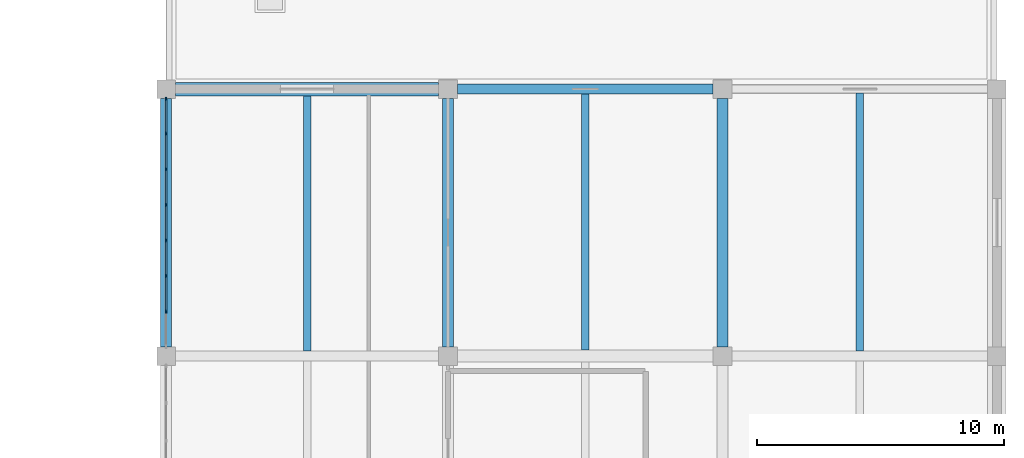
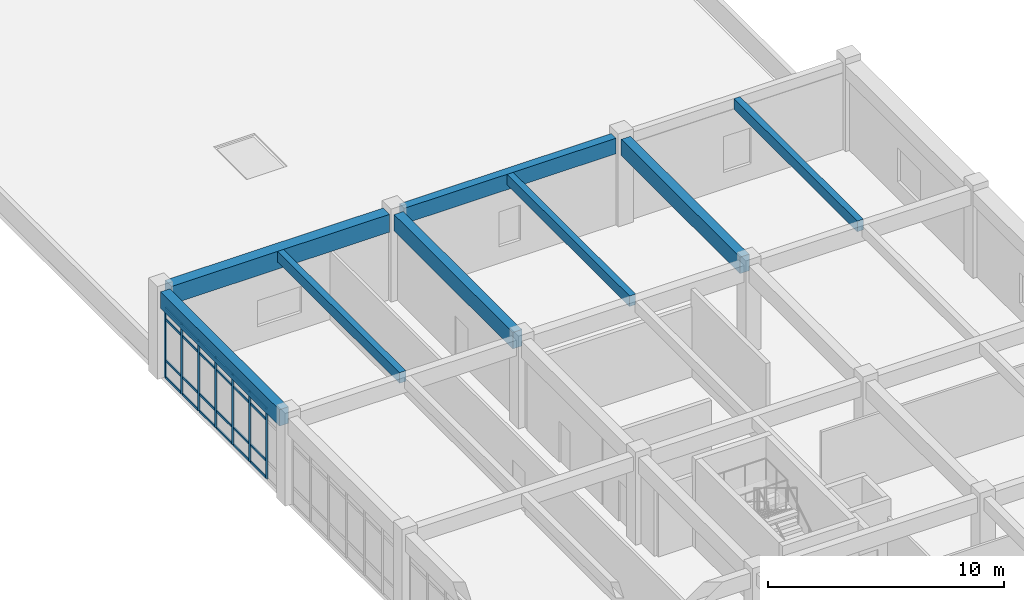
# One storey, part 32 of 68: 31 members, 8 beams, 1 element without a shape of its own.
"""IFC4 building model written with IfcOpenShell, lengths in metres."""

from ifc_helpers import new_model, si_unit, direction, frame, origin, origin_2d, place, context, subcontext, project, spatial, rectangle, extrude, material, layer, layer_set, material_profile, profile_set, type_object, element, aggregate, save


model = new_model("IFC4")

# Units and contexts
model_context = context("Model", 3, precision=1e-05, world=origin(), true_north=direction((0.0, 1.0)))
body_context = subcontext(model_context, "Body", "Model", "MODEL_VIEW")
ifc_project = project(units=[si_unit("LENGTHUNIT", "METRE"), si_unit("AREAUNIT", "SQUARE_METRE"), si_unit("VOLUMEUNIT", "CUBIC_METRE"), si_unit("PLANEANGLEUNIT", "RADIAN"), si_unit("MASSUNIT", "GRAM", prefix="KILO")], contexts=[model_context])

# Site, building, storey
site_placement = place(None, origin())
site = spatial("IfcSite", under=ifc_project, at=site_placement, CompositionType="ELEMENT")
building_placement = place(site_placement, origin())
building = spatial("IfcBuilding", under=site, at=building_placement, Name="Miralva Faculty of Natural Sciences", CompositionType="ELEMENT")
storey_placement = place(building_placement, frame((0.0, 0.0, 5.39990234375)))
storey = spatial("IfcBuildingStorey", under=building, at=storey_placement, Name="L01", CompositionType="ELEMENT", Elevation=5.39990234375)

# Beams
ifc_material_1 = material(Name="Concrete C40/50", Category="concrete")
ifc_material_profile_1 = material_profile(ifc_material_1, rectangle(XDim=0.449951171875, YDim=0.85009765625, at=origin_2d()), Name="RC 450x850")
ifc_profile_set_1 = profile_set([ifc_material_profile_1], Name="Concrete C40/50")
beam_type_1 = type_object("IfcBeamType", Name="BM-B01", PredefinedType="BEAM", material=ifc_profile_set_1)
for number, where, z_axis, x_axis, name in (
    (1, (133.800048828125, 65.77490234375, 4.05517578125), (0.0, 1.0, 0.0), (-1.0, 0.0, 0.0), "Girder NS L01-166"),
    (2, (145.199951171875, 65.77490234375, 4.05517578125), (0.0, 1.0, 0.0), (-1.0, 0.0, 0.0), "Girder NS L01-173"),
    (3, (156.300048828125, 65.77490234375, 4.05517578125), (0.0, 1.0, 0.0), (-1.0, 0.0, 0.0), "Girder NS L01-180"),
):
    element("IfcBeam", number, at=place(storey_placement, frame(where, z_axis=z_axis, x_axis=x_axis)), inside=storey, type_object=beam_type_1, Name=name, PredefinedType="BEAM", context=body_context, shape_type="SweptSolid", body=[
        extrude(rectangle(XDim=0.449951171875, YDim=0.85009765625, at=origin_2d()), origin(), (0.0, 0.0, 1.0), 10.050048828125),
    ])
ifc_material_profile_2 = material_profile(ifc_material_1, rectangle(XDim=0.39990234375, YDim=0.800048828125, at=origin_2d()), Name="RC 400x800")
ifc_profile_set_2 = profile_set([ifc_material_profile_2], Name="Concrete C40/50")
beam_type_2 = type_object("IfcBeamType", Name="BM-B02", PredefinedType="BEAM", material=ifc_profile_set_2)
beam_1_placement = place(storey_placement, frame((145.574951171875, 76.199951171875, 4.080078125), z_axis=(1.0, 0.0, 0.0), x_axis=(0.0, 1.0, 0.0)))
element("IfcBeam", 4, at=beam_1_placement, inside=storey, type_object=beam_type_2, Name="Girder EW L01-64", PredefinedType="BEAM", context=body_context, shape_type="SweptSolid", body=[
    extrude(rectangle(XDim=0.39990234375, YDim=0.800048828125, at=origin_2d()), origin(), (0.0, 0.0, 1.0), 10.35009765625),
])
ifc_material_profile_3 = material_profile(ifc_material_1, rectangle(XDim=0.5400390625, YDim=0.919921875, at=origin_2d()), Name="RC 540x920")
ifc_profile_set_3 = profile_set([ifc_material_profile_3], Name="Concrete C40/50")
beam_type_3 = type_object("IfcBeamType", Name="BM-BG21", PredefinedType="BEAM", material=ifc_profile_set_3)
beam_2_placement = place(storey_placement, frame((134.175048828125, 76.199951171875, 4.02001953125), z_axis=(1.0, 0.0, 0.0), x_axis=(0.0, 1.0, 0.0)))
element("IfcBeam", 5, at=beam_2_placement, inside=storey, type_object=beam_type_3, Name="Girder EW L01-63", PredefinedType="BEAM", context=body_context, shape_type="SweptSolid", body=[
    extrude(rectangle(XDim=0.5400390625, YDim=0.919921875, at=origin_2d()), origin(), (0.0, 0.0, 1.0), 10.64990234375),
])
ifc_material_profile_4 = material_profile(ifc_material_1, rectangle(XDim=0.300048828125, YDim=0.550048828125, at=origin_2d()), Name="RC 300x550")
ifc_profile_set_4 = profile_set([ifc_material_profile_4], Name="Concrete C40/50")
beam_type_4 = type_object("IfcBeamType", Name="BM-J02", PredefinedType="JOIST", material=ifc_profile_set_4)
beam_3_placement = place(storey_placement, frame((139.5, 65.60009765625, 4.205078125), z_axis=(0.0, 1.0, 0.0), x_axis=(-1.0, 0.0, 0.0)))
element("IfcBeam", 6, at=beam_3_placement, inside=storey, type_object=beam_type_4, Name="Floor joist L01-23", PredefinedType="JOIST", context=body_context, shape_type="SweptSolid", body=[
    extrude(rectangle(XDim=0.300048828125, YDim=0.550048828125, at=origin_2d()), origin(), (0.0, 0.0, 1.0), 10.329833984375),
])
beam_4_placement = place(storey_placement, frame((150.75, 65.639892578125, 4.205078125), z_axis=(0.0, 1.0, 0.0), x_axis=(-1.0, 0.0, 0.0)))
element("IfcBeam", 7, at=beam_4_placement, inside=storey, type_object=beam_type_4, Name="Floor joist L01-24", PredefinedType="JOIST", context=body_context, shape_type="SweptSolid", body=[
    extrude(rectangle(XDim=0.300048828125, YDim=0.550048828125, at=origin_2d()), origin(), (0.0, 0.0, 1.0), 10.360107421875),
])
beam_5_placement = place(storey_placement, frame((161.85009765625, 65.60009765625, 4.205078125), z_axis=(0.0, 1.0, 0.0), x_axis=(-1.0, 0.0, 0.0)))
element("IfcBeam", 8, at=beam_5_placement, inside=storey, type_object=beam_type_4, Name="Floor joist L01-25", PredefinedType="JOIST", context=body_context, shape_type="SweptSolid", body=[
    extrude(rectangle(XDim=0.300048828125, YDim=0.550048828125, at=origin_2d()), origin(), (0.0, 0.0, 1.0), 10.43994140625),
])

# Curtain wall, members
ifc_material_2 = material(Name="Laminated solar-control glass", Category="glass")
ifc_layer = layer(ifc_material_2, 0.179931640625, Name="CW-COM-L01")
ifc_layer_set = layer_set([ifc_layer], Name="Laminated solar-control glass")
curtain_wall_type = type_object("IfcCurtainWallType", Name="CW-COM-L01", PredefinedType="USERDEFINED", material=ifc_layer_set)
curtain_wall_placement = place(storey_placement, origin())
curtain_wall = element("IfcCurtainWall", 9, at=curtain_wall_placement, inside=storey, type_object=curtain_wall_type, Name="Curtain wall CW-10 L01-267", ObjectType="UNITISED CURTAIN WALL", PredefinedType="USERDEFINED")
ifc_material_3 = material(Name="Anodised aluminium", Category="aluminium")
ifc_material_profile_5 = material_profile(ifc_material_3, rectangle(XDim=0.06005859375, YDim=0.139892578125, at=origin_2d()), Name="MULLION 60x140")
ifc_profile_set_5 = profile_set([ifc_material_profile_5], Name="Anodised aluminium")
member_type_1 = type_object("IfcMemberType", Name="CW-M03", PredefinedType="MULLION", material=ifc_profile_set_5)
member_1_placement = place(storey_placement, frame((133.800048828125, 67.20361328125, 0.0), z_axis=(0.0, 0.0, 1.0), x_axis=(-1.0, 0.0, 0.0)))
member_1 = element("IfcMember", 10, at=member_1_placement, type_object=member_type_1, Name="CW-10 mullion 2", PredefinedType="MULLION", context=body_context, shape_type="SweptSolid", body=[
    extrude(rectangle(XDim=0.06005859375, YDim=0.139892578125, at=origin_2d()), origin(), (0.0, 0.0, 1.0), 3.625),
])
member_2_placement = place(storey_placement, frame((133.800048828125, 68.64208984375, 0.0), z_axis=(0.0, 0.0, 1.0), x_axis=(-1.0, 0.0, 0.0)))
member_2 = element("IfcMember", 11, at=member_2_placement, type_object=member_type_1, Name="CW-10 mullion 3", PredefinedType="MULLION", context=body_context, shape_type="SweptSolid", body=[
    extrude(rectangle(XDim=0.06005859375, YDim=0.139892578125, at=origin_2d()), origin(), (0.0, 0.0, 1.0), 3.625),
])
member_3_placement = place(storey_placement, frame((133.800048828125, 70.080810546875, 0.0), z_axis=(0.0, 0.0, 1.0), x_axis=(-1.0, 0.0, 0.0)))
member_3 = element("IfcMember", 12, at=member_3_placement, type_object=member_type_1, Name="CW-10 mullion 4", PredefinedType="MULLION", context=body_context, shape_type="SweptSolid", body=[
    extrude(rectangle(XDim=0.06005859375, YDim=0.139892578125, at=origin_2d()), origin(), (0.0, 0.0, 1.0), 3.625),
])
member_4_placement = place(storey_placement, frame((133.800048828125, 71.519287109375, 0.0), z_axis=(0.0, 0.0, 1.0), x_axis=(-1.0, 0.0, 0.0)))
member_4 = element("IfcMember", 13, at=member_4_placement, type_object=member_type_1, Name="CW-10 mullion 5", PredefinedType="MULLION", context=body_context, shape_type="SweptSolid", body=[
    extrude(rectangle(XDim=0.06005859375, YDim=0.139892578125, at=origin_2d()), origin(), (0.0, 0.0, 1.0), 3.625),
])
member_5_placement = place(storey_placement, frame((133.800048828125, 72.957763671875, 0.0), z_axis=(0.0, 0.0, 1.0), x_axis=(-1.0, 0.0, 0.0)))
member_5 = element("IfcMember", 14, at=member_5_placement, type_object=member_type_1, Name="CW-10 mullion 6", PredefinedType="MULLION", context=body_context, shape_type="SweptSolid", body=[
    extrude(rectangle(XDim=0.06005859375, YDim=0.139892578125, at=origin_2d()), origin(), (0.0, 0.0, 1.0), 3.625),
])
member_6_placement = place(storey_placement, frame((133.800048828125, 74.396484375, 0.0), z_axis=(0.0, 0.0, 1.0), x_axis=(-1.0, 0.0, 0.0)))
member_6 = element("IfcMember", 15, at=member_6_placement, type_object=member_type_1, Name="CW-10 mullion 7", PredefinedType="MULLION", context=body_context, shape_type="SweptSolid", body=[
    extrude(rectangle(XDim=0.06005859375, YDim=0.139892578125, at=origin_2d()), origin(), (0.0, 0.0, 1.0), 3.625),
])
member_7_placement = place(storey_placement, frame((133.800048828125, 75.804931640625, 0.0), z_axis=(0.0, 0.0, 1.0), x_axis=(-1.0, 0.0, 0.0)))
member_7 = element("IfcMember", 16, at=member_7_placement, type_object=member_type_1, Name="CW-10 mullion 8", PredefinedType="MULLION", context=body_context, shape_type="SweptSolid", body=[
    extrude(rectangle(XDim=0.06005859375, YDim=0.139892578125, at=origin_2d()), origin(), (0.0, 0.0, 1.0), 3.625),
])
ifc_material_profile_6 = material_profile(ifc_material_3, rectangle(XDim=0.06005859375, YDim=0.1201171875, at=origin_2d()), Name="TRANSOM 60x120")
ifc_profile_set_6 = profile_set([ifc_material_profile_6], Name="Anodised aluminium")
member_type_2 = type_object("IfcMemberType", Name="CW-T02", PredefinedType="USERDEFINED", material=ifc_profile_set_6)
member_8_placement = place(storey_placement, frame((133.800048828125, 67.233642578125, 0.030029296875), z_axis=(0.0, 1.0, 0.0), x_axis=(-1.0, 0.0, 0.0)))
member_8 = element("IfcMember", 17, at=member_8_placement, type_object=member_type_2, Name="CW-10 transom 2.1", ObjectType="TRANSOM", PredefinedType="USERDEFINED", context=body_context, shape_type="SweptSolid", body=[
    extrude(rectangle(XDim=0.06005859375, YDim=0.1201171875, at=origin_2d()), origin(), (0.0, 0.0, 1.0), 1.37841796875),
])
member_9_placement = place(storey_placement, frame((133.800048828125, 67.233642578125, 0.900146484375), z_axis=(0.0, 1.0, 0.0), x_axis=(-1.0, 0.0, 0.0)))
member_9 = element("IfcMember", 18, at=member_9_placement, type_object=member_type_2, Name="CW-10 transom 2.2", ObjectType="TRANSOM", PredefinedType="USERDEFINED", context=body_context, shape_type="SweptSolid", body=[
    extrude(rectangle(XDim=0.06005859375, YDim=0.1201171875, at=origin_2d()), origin(), (0.0, 0.0, 1.0), 1.37841796875),
])
member_10_placement = place(storey_placement, frame((133.800048828125, 67.233642578125, 3.025146484375), z_axis=(0.0, 1.0, 0.0), x_axis=(-1.0, 0.0, 0.0)))
member_10 = element("IfcMember", 19, at=member_10_placement, type_object=member_type_2, Name="CW-10 transom 2.3", ObjectType="TRANSOM", PredefinedType="USERDEFINED", context=body_context, shape_type="SweptSolid", body=[
    extrude(rectangle(XDim=0.06005859375, YDim=0.1201171875, at=origin_2d()), origin(), (0.0, 0.0, 1.0), 1.37841796875),
])
member_11_placement = place(storey_placement, frame((133.800048828125, 67.233642578125, 3.59521484375), z_axis=(0.0, 1.0, 0.0), x_axis=(-1.0, 0.0, 0.0)))
member_11 = element("IfcMember", 20, at=member_11_placement, type_object=member_type_2, Name="CW-10 transom 2.4", ObjectType="TRANSOM", PredefinedType="USERDEFINED", context=body_context, shape_type="SweptSolid", body=[
    extrude(rectangle(XDim=0.06005859375, YDim=0.1201171875, at=origin_2d()), origin(), (0.0, 0.0, 1.0), 1.37841796875),
])
member_12_placement = place(storey_placement, frame((133.800048828125, 68.672119140625, 0.030029296875), z_axis=(0.0, 1.0, 0.0), x_axis=(-1.0, 0.0, 0.0)))
member_12 = element("IfcMember", 21, at=member_12_placement, type_object=member_type_2, Name="CW-10 transom 3.1", ObjectType="TRANSOM", PredefinedType="USERDEFINED", context=body_context, shape_type="SweptSolid", body=[
    extrude(rectangle(XDim=0.06005859375, YDim=0.1201171875, at=origin_2d()), origin(), (0.0, 0.0, 1.0), 1.378662109375),
])
member_13_placement = place(storey_placement, frame((133.800048828125, 68.672119140625, 0.900146484375), z_axis=(0.0, 1.0, 0.0), x_axis=(-1.0, 0.0, 0.0)))
member_13 = element("IfcMember", 22, at=member_13_placement, type_object=member_type_2, Name="CW-10 transom 3.2", ObjectType="TRANSOM", PredefinedType="USERDEFINED", context=body_context, shape_type="SweptSolid", body=[
    extrude(rectangle(XDim=0.06005859375, YDim=0.1201171875, at=origin_2d()), origin(), (0.0, 0.0, 1.0), 1.378662109375),
])
member_14_placement = place(storey_placement, frame((133.800048828125, 68.672119140625, 3.025146484375), z_axis=(0.0, 1.0, 0.0), x_axis=(-1.0, 0.0, 0.0)))
member_14 = element("IfcMember", 23, at=member_14_placement, type_object=member_type_2, Name="CW-10 transom 3.3", ObjectType="TRANSOM", PredefinedType="USERDEFINED", context=body_context, shape_type="SweptSolid", body=[
    extrude(rectangle(XDim=0.06005859375, YDim=0.1201171875, at=origin_2d()), origin(), (0.0, 0.0, 1.0), 1.378662109375),
])
member_15_placement = place(storey_placement, frame((133.800048828125, 68.672119140625, 3.59521484375), z_axis=(0.0, 1.0, 0.0), x_axis=(-1.0, 0.0, 0.0)))
member_15 = element("IfcMember", 24, at=member_15_placement, type_object=member_type_2, Name="CW-10 transom 3.4", ObjectType="TRANSOM", PredefinedType="USERDEFINED", context=body_context, shape_type="SweptSolid", body=[
    extrude(rectangle(XDim=0.06005859375, YDim=0.1201171875, at=origin_2d()), origin(), (0.0, 0.0, 1.0), 1.378662109375),
])
member_16_placement = place(storey_placement, frame((133.800048828125, 70.110595703125, 0.030029296875), z_axis=(0.0, 1.0, 0.0), x_axis=(-1.0, 0.0, 0.0)))
member_16 = element("IfcMember", 25, at=member_16_placement, type_object=member_type_2, Name="CW-10 transom 4.1", ObjectType="TRANSOM", PredefinedType="USERDEFINED", context=body_context, shape_type="SweptSolid", body=[
    extrude(rectangle(XDim=0.06005859375, YDim=0.1201171875, at=origin_2d()), origin(), (0.0, 0.0, 1.0), 1.378662109375),
])
member_17_placement = place(storey_placement, frame((133.800048828125, 70.110595703125, 0.900146484375), z_axis=(0.0, 1.0, 0.0), x_axis=(-1.0, 0.0, 0.0)))
member_17 = element("IfcMember", 26, at=member_17_placement, type_object=member_type_2, Name="CW-10 transom 4.2", ObjectType="TRANSOM", PredefinedType="USERDEFINED", context=body_context, shape_type="SweptSolid", body=[
    extrude(rectangle(XDim=0.06005859375, YDim=0.1201171875, at=origin_2d()), origin(), (0.0, 0.0, 1.0), 1.378662109375),
])
member_18_placement = place(storey_placement, frame((133.800048828125, 70.110595703125, 3.025146484375), z_axis=(0.0, 1.0, 0.0), x_axis=(-1.0, 0.0, 0.0)))
member_18 = element("IfcMember", 27, at=member_18_placement, type_object=member_type_2, Name="CW-10 transom 4.3", ObjectType="TRANSOM", PredefinedType="USERDEFINED", context=body_context, shape_type="SweptSolid", body=[
    extrude(rectangle(XDim=0.06005859375, YDim=0.1201171875, at=origin_2d()), origin(), (0.0, 0.0, 1.0), 1.378662109375),
])
member_19_placement = place(storey_placement, frame((133.800048828125, 70.110595703125, 3.59521484375), z_axis=(0.0, 1.0, 0.0), x_axis=(-1.0, 0.0, 0.0)))
member_19 = element("IfcMember", 28, at=member_19_placement, type_object=member_type_2, Name="CW-10 transom 4.4", ObjectType="TRANSOM", PredefinedType="USERDEFINED", context=body_context, shape_type="SweptSolid", body=[
    extrude(rectangle(XDim=0.06005859375, YDim=0.1201171875, at=origin_2d()), origin(), (0.0, 0.0, 1.0), 1.378662109375),
])
member_20_placement = place(storey_placement, frame((133.800048828125, 71.54931640625, 0.030029296875), z_axis=(0.0, 1.0, 0.0), x_axis=(-1.0, 0.0, 0.0)))
member_20 = element("IfcMember", 29, at=member_20_placement, type_object=member_type_2, Name="CW-10 transom 5.1", ObjectType="TRANSOM", PredefinedType="USERDEFINED", context=body_context, shape_type="SweptSolid", body=[
    extrude(rectangle(XDim=0.06005859375, YDim=0.1201171875, at=origin_2d()), origin(), (0.0, 0.0, 1.0), 1.378662109375),
])
member_21_placement = place(storey_placement, frame((133.800048828125, 71.54931640625, 0.900146484375), z_axis=(0.0, 1.0, 0.0), x_axis=(-1.0, 0.0, 0.0)))
member_21 = element("IfcMember", 30, at=member_21_placement, type_object=member_type_2, Name="CW-10 transom 5.2", ObjectType="TRANSOM", PredefinedType="USERDEFINED", context=body_context, shape_type="SweptSolid", body=[
    extrude(rectangle(XDim=0.06005859375, YDim=0.1201171875, at=origin_2d()), origin(), (0.0, 0.0, 1.0), 1.378662109375),
])
member_22_placement = place(storey_placement, frame((133.800048828125, 71.54931640625, 3.025146484375), z_axis=(0.0, 1.0, 0.0), x_axis=(-1.0, 0.0, 0.0)))
member_22 = element("IfcMember", 31, at=member_22_placement, type_object=member_type_2, Name="CW-10 transom 5.3", ObjectType="TRANSOM", PredefinedType="USERDEFINED", context=body_context, shape_type="SweptSolid", body=[
    extrude(rectangle(XDim=0.06005859375, YDim=0.1201171875, at=origin_2d()), origin(), (0.0, 0.0, 1.0), 1.378662109375),
])
member_23_placement = place(storey_placement, frame((133.800048828125, 71.54931640625, 3.59521484375), z_axis=(0.0, 1.0, 0.0), x_axis=(-1.0, 0.0, 0.0)))
member_23 = element("IfcMember", 32, at=member_23_placement, type_object=member_type_2, Name="CW-10 transom 5.4", ObjectType="TRANSOM", PredefinedType="USERDEFINED", context=body_context, shape_type="SweptSolid", body=[
    extrude(rectangle(XDim=0.06005859375, YDim=0.1201171875, at=origin_2d()), origin(), (0.0, 0.0, 1.0), 1.378662109375),
])
member_24_placement = place(storey_placement, frame((133.800048828125, 72.98779296875, 0.030029296875), z_axis=(0.0, 1.0, 0.0), x_axis=(-1.0, 0.0, 0.0)))
member_24 = element("IfcMember", 33, at=member_24_placement, type_object=member_type_2, Name="CW-10 transom 6.1", ObjectType="TRANSOM", PredefinedType="USERDEFINED", context=body_context, shape_type="SweptSolid", body=[
    extrude(rectangle(XDim=0.06005859375, YDim=0.1201171875, at=origin_2d()), origin(), (0.0, 0.0, 1.0), 1.378662109375),
])
member_25_placement = place(storey_placement, frame((133.800048828125, 72.98779296875, 0.900146484375), z_axis=(0.0, 1.0, 0.0), x_axis=(-1.0, 0.0, 0.0)))
member_25 = element("IfcMember", 34, at=member_25_placement, type_object=member_type_2, Name="CW-10 transom 6.2", ObjectType="TRANSOM", PredefinedType="USERDEFINED", context=body_context, shape_type="SweptSolid", body=[
    extrude(rectangle(XDim=0.06005859375, YDim=0.1201171875, at=origin_2d()), origin(), (0.0, 0.0, 1.0), 1.378662109375),
])
member_26_placement = place(storey_placement, frame((133.800048828125, 72.98779296875, 3.025146484375), z_axis=(0.0, 1.0, 0.0), x_axis=(-1.0, 0.0, 0.0)))
member_26 = element("IfcMember", 35, at=member_26_placement, type_object=member_type_2, Name="CW-10 transom 6.3", ObjectType="TRANSOM", PredefinedType="USERDEFINED", context=body_context, shape_type="SweptSolid", body=[
    extrude(rectangle(XDim=0.06005859375, YDim=0.1201171875, at=origin_2d()), origin(), (0.0, 0.0, 1.0), 1.378662109375),
])
member_27_placement = place(storey_placement, frame((133.800048828125, 72.98779296875, 3.59521484375), z_axis=(0.0, 1.0, 0.0), x_axis=(-1.0, 0.0, 0.0)))
member_27 = element("IfcMember", 36, at=member_27_placement, type_object=member_type_2, Name="CW-10 transom 6.4", ObjectType="TRANSOM", PredefinedType="USERDEFINED", context=body_context, shape_type="SweptSolid", body=[
    extrude(rectangle(XDim=0.06005859375, YDim=0.1201171875, at=origin_2d()), origin(), (0.0, 0.0, 1.0), 1.378662109375),
])
member_28_placement = place(storey_placement, frame((133.800048828125, 74.426513671875, 0.030029296875), z_axis=(0.0, 1.0, 0.0), x_axis=(-1.0, 0.0, 0.0)))
member_28 = element("IfcMember", 37, at=member_28_placement, type_object=member_type_2, Name="CW-10 transom 7.1", ObjectType="TRANSOM", PredefinedType="USERDEFINED", context=body_context, shape_type="SweptSolid", body=[
    extrude(rectangle(XDim=0.06005859375, YDim=0.1201171875, at=origin_2d()), origin(), (0.0, 0.0, 1.0), 1.348388671875),
])
member_29_placement = place(storey_placement, frame((133.800048828125, 74.426513671875, 0.900146484375), z_axis=(0.0, 1.0, 0.0), x_axis=(-1.0, 0.0, 0.0)))
member_29 = element("IfcMember", 38, at=member_29_placement, type_object=member_type_2, Name="CW-10 transom 7.2", ObjectType="TRANSOM", PredefinedType="USERDEFINED", context=body_context, shape_type="SweptSolid", body=[
    extrude(rectangle(XDim=0.06005859375, YDim=0.1201171875, at=origin_2d()), origin(), (0.0, 0.0, 1.0), 1.348388671875),
])
member_30_placement = place(storey_placement, frame((133.800048828125, 74.426513671875, 3.025146484375), z_axis=(0.0, 1.0, 0.0), x_axis=(-1.0, 0.0, 0.0)))
member_30 = element("IfcMember", 39, at=member_30_placement, type_object=member_type_2, Name="CW-10 transom 7.3", ObjectType="TRANSOM", PredefinedType="USERDEFINED", context=body_context, shape_type="SweptSolid", body=[
    extrude(rectangle(XDim=0.06005859375, YDim=0.1201171875, at=origin_2d()), origin(), (0.0, 0.0, 1.0), 1.348388671875),
])
member_31_placement = place(storey_placement, frame((133.800048828125, 74.426513671875, 3.59521484375), z_axis=(0.0, 1.0, 0.0), x_axis=(-1.0, 0.0, 0.0)))
member_31 = element("IfcMember", 40, at=member_31_placement, type_object=member_type_2, Name="CW-10 transom 7.4", ObjectType="TRANSOM", PredefinedType="USERDEFINED", context=body_context, shape_type="SweptSolid", body=[
    extrude(rectangle(XDim=0.06005859375, YDim=0.1201171875, at=origin_2d()), origin(), (0.0, 0.0, 1.0), 1.348388671875),
])
aggregate(curtain_wall, [member_1, member_2, member_3, member_4, member_5, member_6, member_7, member_8, member_9, member_10, member_11, member_12, member_13, member_14, member_15, member_16, member_17, member_18, member_19, member_20, member_21, member_22, member_23, member_24, member_25, member_26, member_27, member_28, member_29, member_30, member_31])

save(model, "model.ifc")
